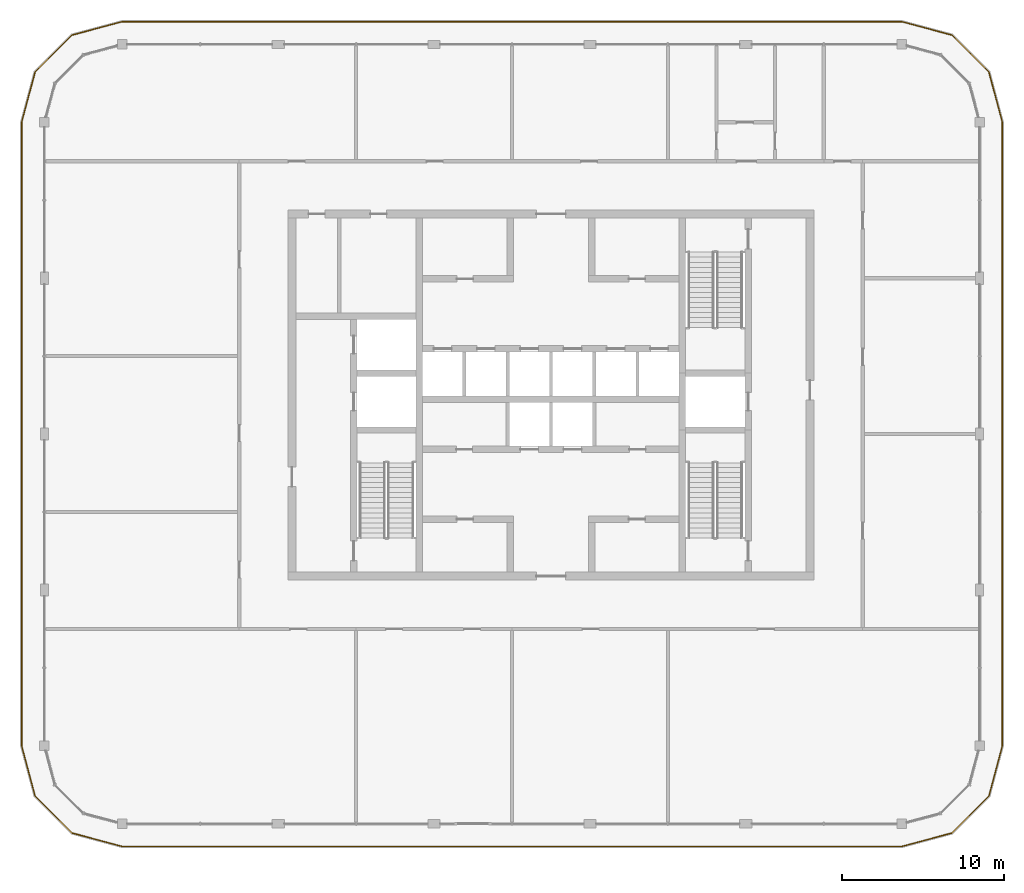
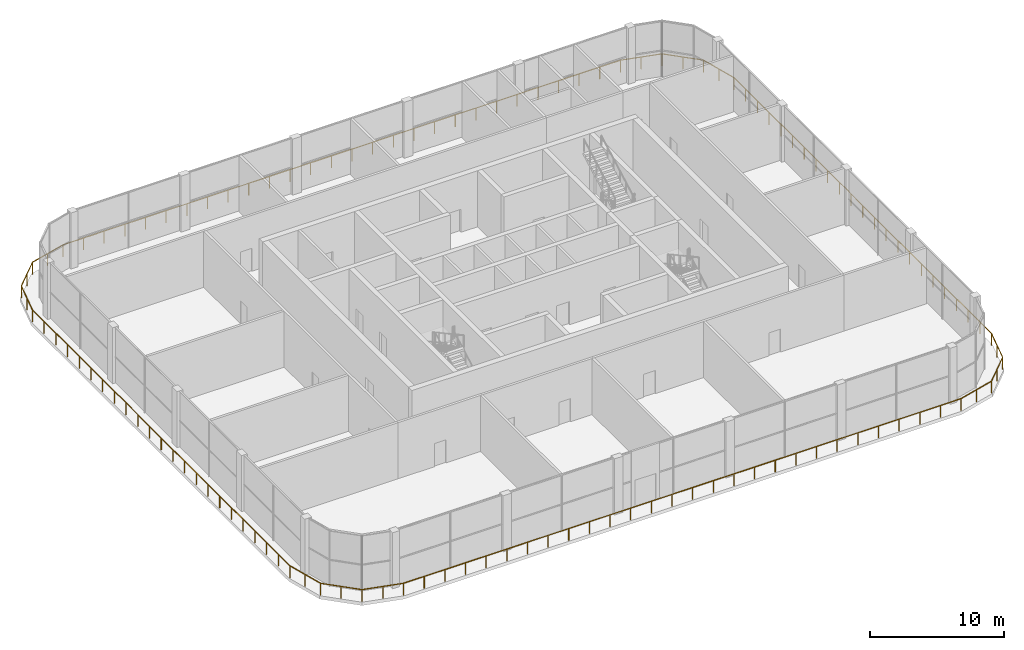
# One storey, part 14 of 15: 2 railings.
"""IFC4 building model written with IfcOpenShell, lengths in metres."""

from ifc_helpers import new_model, si_unit, direction, frame, origin, origin_2d, place, context, subcontext, project, spatial, circle, extrude, material, type_object, element, save


model = new_model("IFC4")

# Units and contexts
model_context = context("Model", 3, precision=1e-05, world=origin(), true_north=direction((0.0, 1.0)))
body_context = subcontext(model_context, "Body", "Model", "MODEL_VIEW")
ifc_project = project(units=[si_unit("LENGTHUNIT", "METRE"), si_unit("AREAUNIT", "SQUARE_METRE"), si_unit("VOLUMEUNIT", "CUBIC_METRE"), si_unit("PLANEANGLEUNIT", "RADIAN"), si_unit("MASSUNIT", "GRAM", prefix="KILO")], contexts=[model_context])

# Site, building, storey
site_placement = place(None, origin())
site = spatial("IfcSite", under=ifc_project, at=site_placement, CompositionType="ELEMENT")
building_placement = place(site_placement, origin())
building = spatial("IfcBuilding", under=site, at=building_placement, Name="Madar Terraces", CompositionType="ELEMENT")
storey_placement = place(building_placement, frame((0.0, 0.0, 286.10009765625)))
storey = spatial("IfcBuildingStorey", under=building, at=storey_placement, Name="L75", CompositionType="ELEMENT", Elevation=286.10009765625)

# Railings
ifc_material = material(Name="Glass, safety glazing, with stainless steel posts", Category="steel")
railing_type = type_object("IfcRailingType", Name="Balcony glass guard 1100", PredefinedType="GUARDRAIL", material=ifc_material)
railing_1_placement = place(storey_placement, frame((52.800048828125, -1.39990234375, 0.0)))
element("IfcRailing", 1, at=railing_1_placement, inside=storey, type_object=railing_type, Name="Balcony guard", PredefinedType="GUARDRAIL", context=body_context, shape_type="SweptSolid", body=[
    extrude(circle(Radius=0.02392578125, at=origin_2d()), frame((0.0, 0.0, 1.076171875), z_axis=(0.965928696102, 0.258808334578, 0.0), x_axis=(-0.258808334578, 0.965928696102, 0.0)), (0.0, 0.0, 1.0), 3.209228515625),
    extrude(circle(Radius=0.02392578125, at=origin_2d()), frame((3.099853515625, 0.83056640625, 1.076171875), z_axis=(0.707144815061, 0.707068745266, 0.0), x_axis=(-0.707068745266, 0.707144815061, 0.0)), (0.0, 0.0, 1.0), 3.20947265625),
    extrude(circle(Radius=0.02392578125, at=origin_2d()), frame((5.369384765625, 3.099853515625, 1.076171875), z_axis=(0.258789317819, 0.9659337912, 0.0), x_axis=(-0.9659337912, 0.258789317819, 0.0)), (0.0, 0.0, 1.0), 3.20947265625),
    extrude(circle(Radius=0.02392578125, at=origin_2d()), frame((6.199951171875, 6.199951171875, 1.076171875), z_axis=(0.0, 1.0, 0.0), x_axis=(-1.0, 0.0, 0.0)), (0.0, 0.0, 1.0), 38.39990234375),
    extrude(circle(Radius=0.02392578125, at=origin_2d()), frame((6.199951171875, 44.599853515625, 1.076171875), z_axis=(-0.258789317819, 0.9659337912, 0.0), x_axis=(-0.9659337912, -0.258789317819, 0.0)), (0.0, 0.0, 1.0), 3.20947265625),
    extrude(circle(Radius=0.02392578125, at=origin_2d()), frame((5.369384765625, 47.699951171875, 1.076171875), z_axis=(-0.707144815061, 0.707068745266, 0.0), x_axis=(-0.707068745266, -0.707144815061, 0.0)), (0.0, 0.0, 1.0), 3.20947265625),
    extrude(circle(Radius=0.02392578125, at=origin_2d()), frame((3.099853515625, 49.96923828125, 1.076171875), z_axis=(-0.965928696102, 0.258808334578, 0.0), x_axis=(-0.258808334578, -0.965928696102, 0.0)), (0.0, 0.0, 1.0), 3.209228515625),
    extrude(circle(Radius=0.02392578125, at=origin_2d()), frame((0.0, 50.7998046875, 1.076171875), z_axis=(-1.0, 0.0, 0.0), x_axis=(0.0, -1.0, 0.0)), (0.0, 0.0, 1.0), 48.0),
    extrude(circle(Radius=0.02099609375, at=origin_2d()), origin(), (0.0, 0.0, 1.0), 1.052001953125),
    extrude(circle(Radius=0.02099609375, at=origin_2d()), frame((1.5498046875, 0.415283203125, 0.0)), (0.0, 0.0, 1.0), 1.052001953125),
    extrude(circle(Radius=0.02099609375, at=origin_2d()), frame((3.099853515625, 0.83056640625, 0.0)), (0.0, 0.0, 1.0), 1.052001953125),
    extrude(circle(Radius=0.02099609375, at=origin_2d()), frame((4.234619140625, 1.96533203125, 0.0)), (0.0, 0.0, 1.0), 1.052001953125),
    extrude(circle(Radius=0.02099609375, at=origin_2d()), frame((5.369384765625, 3.099853515625, 0.0)), (0.0, 0.0, 1.0), 1.052001953125),
    extrude(circle(Radius=0.02099609375, at=origin_2d()), frame((5.78466796875, 4.64990234375, 0.0)), (0.0, 0.0, 1.0), 1.052001953125),
    extrude(circle(Radius=0.02099609375, at=origin_2d()), frame((6.199951171875, 6.199951171875, 0.0)), (0.0, 0.0, 1.0), 1.052001953125),
    extrude(circle(Radius=0.02099609375, at=origin_2d()), frame((6.199951171875, 7.9453125, 0.0)), (0.0, 0.0, 1.0), 1.052001953125),
    extrude(circle(Radius=0.02099609375, at=origin_2d()), frame((6.199951171875, 9.69091796875, 0.0)), (0.0, 0.0, 1.0), 1.052001953125),
    extrude(circle(Radius=0.02099609375, at=origin_2d()), frame((6.199951171875, 11.436279296875, 0.0)), (0.0, 0.0, 1.0), 1.052001953125),
    extrude(circle(Radius=0.02099609375, at=origin_2d()), frame((6.199951171875, 13.181640625, 0.0)), (0.0, 0.0, 1.0), 1.052001953125),
    extrude(circle(Radius=0.02099609375, at=origin_2d()), frame((6.199951171875, 14.92724609375, 0.0)), (0.0, 0.0, 1.0), 1.052001953125),
    extrude(circle(Radius=0.02099609375, at=origin_2d()), frame((6.199951171875, 16.672607421875, 0.0)), (0.0, 0.0, 1.0), 1.052001953125),
    extrude(circle(Radius=0.02099609375, at=origin_2d()), frame((6.199951171875, 18.418212890625, 0.0)), (0.0, 0.0, 1.0), 1.052001953125),
    extrude(circle(Radius=0.02099609375, at=origin_2d()), frame((6.199951171875, 20.16357421875, 0.0)), (0.0, 0.0, 1.0), 1.052001953125),
    extrude(circle(Radius=0.02099609375, at=origin_2d()), frame((6.199951171875, 21.908935546875, 0.0)), (0.0, 0.0, 1.0), 1.052001953125),
    extrude(circle(Radius=0.02099609375, at=origin_2d()), frame((6.199951171875, 23.654541015625, 0.0)), (0.0, 0.0, 1.0), 1.052001953125),
    extrude(circle(Radius=0.02099609375, at=origin_2d()), frame((6.199951171875, 25.39990234375, 0.0)), (0.0, 0.0, 1.0), 1.052001953125),
    extrude(circle(Radius=0.02099609375, at=origin_2d()), frame((6.199951171875, 27.145263671875, 0.0)), (0.0, 0.0, 1.0), 1.052001953125),
    extrude(circle(Radius=0.02099609375, at=origin_2d()), frame((6.199951171875, 28.890869140625, 0.0)), (0.0, 0.0, 1.0), 1.052001953125),
    extrude(circle(Radius=0.02099609375, at=origin_2d()), frame((6.199951171875, 30.63623046875, 0.0)), (0.0, 0.0, 1.0), 1.052001953125),
    extrude(circle(Radius=0.02099609375, at=origin_2d()), frame((6.199951171875, 32.381591796875, 0.0)), (0.0, 0.0, 1.0), 1.052001953125),
    extrude(circle(Radius=0.02099609375, at=origin_2d()), frame((6.199951171875, 34.127197265625, 0.0)), (0.0, 0.0, 1.0), 1.052001953125),
    extrude(circle(Radius=0.02099609375, at=origin_2d()), frame((6.199951171875, 35.87255859375, 0.0)), (0.0, 0.0, 1.0), 1.052001953125),
    extrude(circle(Radius=0.02099609375, at=origin_2d()), frame((6.199951171875, 37.6181640625, 0.0)), (0.0, 0.0, 1.0), 1.052001953125),
    extrude(circle(Radius=0.02099609375, at=origin_2d()), frame((6.199951171875, 39.363525390625, 0.0)), (0.0, 0.0, 1.0), 1.052001953125),
    extrude(circle(Radius=0.02099609375, at=origin_2d()), frame((6.199951171875, 41.10888671875, 0.0)), (0.0, 0.0, 1.0), 1.052001953125),
    extrude(circle(Radius=0.02099609375, at=origin_2d()), frame((6.199951171875, 42.8544921875, 0.0)), (0.0, 0.0, 1.0), 1.052001953125),
    extrude(circle(Radius=0.02099609375, at=origin_2d()), frame((6.199951171875, 44.599853515625, 0.0)), (0.0, 0.0, 1.0), 1.052001953125),
    extrude(circle(Radius=0.02099609375, at=origin_2d()), frame((5.78466796875, 46.14990234375, 0.0)), (0.0, 0.0, 1.0), 1.052001953125),
    extrude(circle(Radius=0.02099609375, at=origin_2d()), frame((5.369384765625, 47.699951171875, 0.0)), (0.0, 0.0, 1.0), 1.052001953125),
    extrude(circle(Radius=0.02099609375, at=origin_2d()), frame((4.234619140625, 48.83447265625, 0.0)), (0.0, 0.0, 1.0), 1.052001953125),
    extrude(circle(Radius=0.02099609375, at=origin_2d()), frame((3.099853515625, 49.96923828125, 0.0)), (0.0, 0.0, 1.0), 1.052001953125),
    extrude(circle(Radius=0.02099609375, at=origin_2d()), frame((1.5498046875, 50.384521484375, 0.0)), (0.0, 0.0, 1.0), 1.052001953125),
    extrude(circle(Radius=0.02099609375, at=origin_2d()), frame((0.0, 50.7998046875, 0.0)), (0.0, 0.0, 1.0), 1.052001953125),
    extrude(circle(Radius=0.02099609375, at=origin_2d()), frame((-1.77783203125, 50.7998046875, 0.0)), (0.0, 0.0, 1.0), 1.052001953125),
    extrude(circle(Radius=0.02099609375, at=origin_2d()), frame((-3.5556640625, 50.7998046875, 0.0)), (0.0, 0.0, 1.0), 1.052001953125),
    extrude(circle(Radius=0.02099609375, at=origin_2d()), frame((-5.333251953125, 50.7998046875, 0.0)), (0.0, 0.0, 1.0), 1.052001953125),
    extrude(circle(Radius=0.02099609375, at=origin_2d()), frame((-7.111083984375, 50.7998046875, 0.0)), (0.0, 0.0, 1.0), 1.052001953125),
    extrude(circle(Radius=0.02099609375, at=origin_2d()), frame((-8.888916015625, 50.7998046875, 0.0)), (0.0, 0.0, 1.0), 1.052001953125),
    extrude(circle(Radius=0.02099609375, at=origin_2d()), frame((-10.666748046875, 50.7998046875, 0.0)), (0.0, 0.0, 1.0), 1.052001953125),
    extrude(circle(Radius=0.02099609375, at=origin_2d()), frame((-12.4443359375, 50.7998046875, 0.0)), (0.0, 0.0, 1.0), 1.052001953125),
    extrude(circle(Radius=0.02099609375, at=origin_2d()), frame((-14.22216796875, 50.7998046875, 0.0)), (0.0, 0.0, 1.0), 1.052001953125),
    extrude(circle(Radius=0.02099609375, at=origin_2d()), frame((-16.0, 50.7998046875, 0.0)), (0.0, 0.0, 1.0), 1.052001953125),
    extrude(circle(Radius=0.02099609375, at=origin_2d()), frame((-17.77783203125, 50.7998046875, 0.0)), (0.0, 0.0, 1.0), 1.052001953125),
    extrude(circle(Radius=0.02099609375, at=origin_2d()), frame((-19.5556640625, 50.7998046875, 0.0)), (0.0, 0.0, 1.0), 1.052001953125),
    extrude(circle(Radius=0.02099609375, at=origin_2d()), frame((-21.333251953125, 50.7998046875, 0.0)), (0.0, 0.0, 1.0), 1.052001953125),
    extrude(circle(Radius=0.02099609375, at=origin_2d()), frame((-23.111083984375, 50.7998046875, 0.0)), (0.0, 0.0, 1.0), 1.052001953125),
    extrude(circle(Radius=0.02099609375, at=origin_2d()), frame((-24.888916015625, 50.7998046875, 0.0)), (0.0, 0.0, 1.0), 1.052001953125),
    extrude(circle(Radius=0.02099609375, at=origin_2d()), frame((-26.666748046875, 50.7998046875, 0.0)), (0.0, 0.0, 1.0), 1.052001953125),
    extrude(circle(Radius=0.02099609375, at=origin_2d()), frame((-28.4443359375, 50.7998046875, 0.0)), (0.0, 0.0, 1.0), 1.052001953125),
    extrude(circle(Radius=0.02099609375, at=origin_2d()), frame((-30.22216796875, 50.7998046875, 0.0)), (0.0, 0.0, 1.0), 1.052001953125),
    extrude(circle(Radius=0.02099609375, at=origin_2d()), frame((-32.0, 50.7998046875, 0.0)), (0.0, 0.0, 1.0), 1.052001953125),
    extrude(circle(Radius=0.02099609375, at=origin_2d()), frame((-33.77783203125, 50.7998046875, 0.0)), (0.0, 0.0, 1.0), 1.052001953125),
    extrude(circle(Radius=0.02099609375, at=origin_2d()), frame((-35.5556640625, 50.7998046875, 0.0)), (0.0, 0.0, 1.0), 1.052001953125),
    extrude(circle(Radius=0.02099609375, at=origin_2d()), frame((-37.333251953125, 50.7998046875, 0.0)), (0.0, 0.0, 1.0), 1.052001953125),
    extrude(circle(Radius=0.02099609375, at=origin_2d()), frame((-39.111083984375, 50.7998046875, 0.0)), (0.0, 0.0, 1.0), 1.052001953125),
    extrude(circle(Radius=0.02099609375, at=origin_2d()), frame((-40.888916015625, 50.7998046875, 0.0)), (0.0, 0.0, 1.0), 1.052001953125),
    extrude(circle(Radius=0.02099609375, at=origin_2d()), frame((-42.666748046875, 50.7998046875, 0.0)), (0.0, 0.0, 1.0), 1.052001953125),
    extrude(circle(Radius=0.02099609375, at=origin_2d()), frame((-44.4443359375, 50.7998046875, 0.0)), (0.0, 0.0, 1.0), 1.052001953125),
    extrude(circle(Radius=0.02099609375, at=origin_2d()), frame((-46.22216796875, 50.7998046875, 0.0)), (0.0, 0.0, 1.0), 1.052001953125),
    extrude(circle(Radius=0.02099609375, at=origin_2d()), frame((-48.0, 50.7998046875, 0.0)), (0.0, 0.0, 1.0), 1.052001953125),
])
railing_2_placement = place(storey_placement, frame((4.800048828125, 49.39990234375, 0.0)))
element("IfcRailing", 2, at=railing_2_placement, inside=storey, type_object=railing_type, Name="Balcony guard", PredefinedType="GUARDRAIL", context=body_context, shape_type="SweptSolid", body=[
    extrude(circle(Radius=0.02392578125, at=origin_2d()), frame((0.0, 0.0, 1.076171875), z_axis=(-0.9659337912, -0.258789317819, 0.0), x_axis=(0.258789317819, -0.9659337912, 0.0)), (0.0, 0.0, 1.0), 3.20947265625),
    extrude(circle(Radius=0.02392578125, at=origin_2d()), frame((-3.10009765625, -0.83056640625, 1.076171875), z_axis=(-0.707106781187, -0.707106781187, 0.0), x_axis=(0.707106781187, -0.707106781187, 0.0)), (0.0, 0.0, 1.0), 3.209228515625),
    extrude(circle(Radius=0.02392578125, at=origin_2d()), frame((-5.369384765625, -3.099853515625, 1.076171875), z_axis=(-0.258789317819, -0.9659337912, 0.0), x_axis=(0.9659337912, -0.258789317819, 0.0)), (0.0, 0.0, 1.0), 3.20947265625),
    extrude(circle(Radius=0.02392578125, at=origin_2d()), frame((-6.199951171875, -6.199951171875, 1.076171875), z_axis=(0.0, -1.0, 0.0), x_axis=(1.0, 0.0, 0.0)), (0.0, 0.0, 1.0), 38.39990234375),
    extrude(circle(Radius=0.02392578125, at=origin_2d()), frame((-6.199951171875, -44.599853515625, 1.076171875), z_axis=(0.258789317819, -0.9659337912, 0.0), x_axis=(0.9659337912, 0.258789317819, 0.0)), (0.0, 0.0, 1.0), 3.20947265625),
    extrude(circle(Radius=0.02392578125, at=origin_2d()), frame((-5.369384765625, -47.699951171875, 1.076171875), z_axis=(0.707106781187, -0.707106781187, 0.0), x_axis=(0.707106781187, 0.707106781187, 0.0)), (0.0, 0.0, 1.0), 3.209228515625),
    extrude(circle(Radius=0.02392578125, at=origin_2d()), frame((-3.10009765625, -49.96923828125, 1.076171875), z_axis=(0.9659337912, -0.258789317819, 0.0), x_axis=(0.258789317819, 0.9659337912, 0.0)), (0.0, 0.0, 1.0), 3.20947265625),
    extrude(circle(Radius=0.02392578125, at=origin_2d()), frame((0.0, -50.7998046875, 1.076171875), z_axis=(1.0, 0.0, 0.0), x_axis=(0.0, 1.0, 0.0)), (0.0, 0.0, 1.0), 48.0),
    extrude(circle(Radius=0.02099609375, at=origin_2d()), origin(), (0.0, 0.0, 1.0), 1.052001953125),
    extrude(circle(Radius=0.02099609375, at=origin_2d()), frame((-1.550048828125, -0.415283203125, 0.0)), (0.0, 0.0, 1.0), 1.052001953125),
    extrude(circle(Radius=0.02099609375, at=origin_2d()), frame((-3.10009765625, -0.83056640625, 0.0)), (0.0, 0.0, 1.0), 1.052001953125),
    extrude(circle(Radius=0.02099609375, at=origin_2d()), frame((-4.23486328125, -1.96533203125, 0.0)), (0.0, 0.0, 1.0), 1.052001953125),
    extrude(circle(Radius=0.02099609375, at=origin_2d()), frame((-5.369384765625, -3.099853515625, 0.0)), (0.0, 0.0, 1.0), 1.052001953125),
    extrude(circle(Radius=0.02099609375, at=origin_2d()), frame((-5.78466796875, -4.64990234375, 0.0)), (0.0, 0.0, 1.0), 1.052001953125),
    extrude(circle(Radius=0.02099609375, at=origin_2d()), frame((-6.199951171875, -6.199951171875, 0.0)), (0.0, 0.0, 1.0), 1.052001953125),
    extrude(circle(Radius=0.02099609375, at=origin_2d()), frame((-6.199951171875, -7.9453125, 0.0)), (0.0, 0.0, 1.0), 1.052001953125),
    extrude(circle(Radius=0.02099609375, at=origin_2d()), frame((-6.199951171875, -9.69091796875, 0.0)), (0.0, 0.0, 1.0), 1.052001953125),
    extrude(circle(Radius=0.02099609375, at=origin_2d()), frame((-6.199951171875, -11.436279296875, 0.0)), (0.0, 0.0, 1.0), 1.052001953125),
    extrude(circle(Radius=0.02099609375, at=origin_2d()), frame((-6.199951171875, -13.181640625, 0.0)), (0.0, 0.0, 1.0), 1.052001953125),
    extrude(circle(Radius=0.02099609375, at=origin_2d()), frame((-6.199951171875, -14.92724609375, 0.0)), (0.0, 0.0, 1.0), 1.052001953125),
    extrude(circle(Radius=0.02099609375, at=origin_2d()), frame((-6.199951171875, -16.672607421875, 0.0)), (0.0, 0.0, 1.0), 1.052001953125),
    extrude(circle(Radius=0.02099609375, at=origin_2d()), frame((-6.199951171875, -18.418212890625, 0.0)), (0.0, 0.0, 1.0), 1.052001953125),
    extrude(circle(Radius=0.02099609375, at=origin_2d()), frame((-6.199951171875, -20.16357421875, 0.0)), (0.0, 0.0, 1.0), 1.052001953125),
    extrude(circle(Radius=0.02099609375, at=origin_2d()), frame((-6.199951171875, -21.908935546875, 0.0)), (0.0, 0.0, 1.0), 1.052001953125),
    extrude(circle(Radius=0.02099609375, at=origin_2d()), frame((-6.199951171875, -23.654541015625, 0.0)), (0.0, 0.0, 1.0), 1.052001953125),
    extrude(circle(Radius=0.02099609375, at=origin_2d()), frame((-6.199951171875, -25.39990234375, 0.0)), (0.0, 0.0, 1.0), 1.052001953125),
    extrude(circle(Radius=0.02099609375, at=origin_2d()), frame((-6.199951171875, -27.145263671875, 0.0)), (0.0, 0.0, 1.0), 1.052001953125),
    extrude(circle(Radius=0.02099609375, at=origin_2d()), frame((-6.199951171875, -28.890869140625, 0.0)), (0.0, 0.0, 1.0), 1.052001953125),
    extrude(circle(Radius=0.02099609375, at=origin_2d()), frame((-6.199951171875, -30.63623046875, 0.0)), (0.0, 0.0, 1.0), 1.052001953125),
    extrude(circle(Radius=0.02099609375, at=origin_2d()), frame((-6.199951171875, -32.381591796875, 0.0)), (0.0, 0.0, 1.0), 1.052001953125),
    extrude(circle(Radius=0.02099609375, at=origin_2d()), frame((-6.199951171875, -34.127197265625, 0.0)), (0.0, 0.0, 1.0), 1.052001953125),
    extrude(circle(Radius=0.02099609375, at=origin_2d()), frame((-6.199951171875, -35.87255859375, 0.0)), (0.0, 0.0, 1.0), 1.052001953125),
    extrude(circle(Radius=0.02099609375, at=origin_2d()), frame((-6.199951171875, -37.6181640625, 0.0)), (0.0, 0.0, 1.0), 1.052001953125),
    extrude(circle(Radius=0.02099609375, at=origin_2d()), frame((-6.199951171875, -39.363525390625, 0.0)), (0.0, 0.0, 1.0), 1.052001953125),
    extrude(circle(Radius=0.02099609375, at=origin_2d()), frame((-6.199951171875, -41.10888671875, 0.0)), (0.0, 0.0, 1.0), 1.052001953125),
    extrude(circle(Radius=0.02099609375, at=origin_2d()), frame((-6.199951171875, -42.8544921875, 0.0)), (0.0, 0.0, 1.0), 1.052001953125),
    extrude(circle(Radius=0.02099609375, at=origin_2d()), frame((-6.199951171875, -44.599853515625, 0.0)), (0.0, 0.0, 1.0), 1.052001953125),
    extrude(circle(Radius=0.02099609375, at=origin_2d()), frame((-5.78466796875, -46.14990234375, 0.0)), (0.0, 0.0, 1.0), 1.052001953125),
    extrude(circle(Radius=0.02099609375, at=origin_2d()), frame((-5.369384765625, -47.699951171875, 0.0)), (0.0, 0.0, 1.0), 1.052001953125),
    extrude(circle(Radius=0.02099609375, at=origin_2d()), frame((-4.23486328125, -48.83447265625, 0.0)), (0.0, 0.0, 1.0), 1.052001953125),
    extrude(circle(Radius=0.02099609375, at=origin_2d()), frame((-3.10009765625, -49.96923828125, 0.0)), (0.0, 0.0, 1.0), 1.052001953125),
    extrude(circle(Radius=0.02099609375, at=origin_2d()), frame((-1.550048828125, -50.384521484375, 0.0)), (0.0, 0.0, 1.0), 1.052001953125),
    extrude(circle(Radius=0.02099609375, at=origin_2d()), frame((0.0, -50.7998046875, 0.0)), (0.0, 0.0, 1.0), 1.052001953125),
    extrude(circle(Radius=0.02099609375, at=origin_2d()), frame((1.77783203125, -50.7998046875, 0.0)), (0.0, 0.0, 1.0), 1.052001953125),
    extrude(circle(Radius=0.02099609375, at=origin_2d()), frame((3.5556640625, -50.7998046875, 0.0)), (0.0, 0.0, 1.0), 1.052001953125),
    extrude(circle(Radius=0.02099609375, at=origin_2d()), frame((5.333251953125, -50.7998046875, 0.0)), (0.0, 0.0, 1.0), 1.052001953125),
    extrude(circle(Radius=0.02099609375, at=origin_2d()), frame((7.111083984375, -50.7998046875, 0.0)), (0.0, 0.0, 1.0), 1.052001953125),
    extrude(circle(Radius=0.02099609375, at=origin_2d()), frame((8.888916015625, -50.7998046875, 0.0)), (0.0, 0.0, 1.0), 1.052001953125),
    extrude(circle(Radius=0.02099609375, at=origin_2d()), frame((10.666748046875, -50.7998046875, 0.0)), (0.0, 0.0, 1.0), 1.052001953125),
    extrude(circle(Radius=0.02099609375, at=origin_2d()), frame((12.4443359375, -50.7998046875, 0.0)), (0.0, 0.0, 1.0), 1.052001953125),
    extrude(circle(Radius=0.02099609375, at=origin_2d()), frame((14.22216796875, -50.7998046875, 0.0)), (0.0, 0.0, 1.0), 1.052001953125),
    extrude(circle(Radius=0.02099609375, at=origin_2d()), frame((16.0, -50.7998046875, 0.0)), (0.0, 0.0, 1.0), 1.052001953125),
    extrude(circle(Radius=0.02099609375, at=origin_2d()), frame((17.77783203125, -50.7998046875, 0.0)), (0.0, 0.0, 1.0), 1.052001953125),
    extrude(circle(Radius=0.02099609375, at=origin_2d()), frame((19.5556640625, -50.7998046875, 0.0)), (0.0, 0.0, 1.0), 1.052001953125),
    extrude(circle(Radius=0.02099609375, at=origin_2d()), frame((21.333251953125, -50.7998046875, 0.0)), (0.0, 0.0, 1.0), 1.052001953125),
    extrude(circle(Radius=0.02099609375, at=origin_2d()), frame((23.111083984375, -50.7998046875, 0.0)), (0.0, 0.0, 1.0), 1.052001953125),
    extrude(circle(Radius=0.02099609375, at=origin_2d()), frame((24.888916015625, -50.7998046875, 0.0)), (0.0, 0.0, 1.0), 1.052001953125),
    extrude(circle(Radius=0.02099609375, at=origin_2d()), frame((26.666748046875, -50.7998046875, 0.0)), (0.0, 0.0, 1.0), 1.052001953125),
    extrude(circle(Radius=0.02099609375, at=origin_2d()), frame((28.4443359375, -50.7998046875, 0.0)), (0.0, 0.0, 1.0), 1.052001953125),
    extrude(circle(Radius=0.02099609375, at=origin_2d()), frame((30.22216796875, -50.7998046875, 0.0)), (0.0, 0.0, 1.0), 1.052001953125),
    extrude(circle(Radius=0.02099609375, at=origin_2d()), frame((32.0, -50.7998046875, 0.0)), (0.0, 0.0, 1.0), 1.052001953125),
    extrude(circle(Radius=0.02099609375, at=origin_2d()), frame((33.77783203125, -50.7998046875, 0.0)), (0.0, 0.0, 1.0), 1.052001953125),
    extrude(circle(Radius=0.02099609375, at=origin_2d()), frame((35.5556640625, -50.7998046875, 0.0)), (0.0, 0.0, 1.0), 1.052001953125),
    extrude(circle(Radius=0.02099609375, at=origin_2d()), frame((37.333251953125, -50.7998046875, 0.0)), (0.0, 0.0, 1.0), 1.052001953125),
    extrude(circle(Radius=0.02099609375, at=origin_2d()), frame((39.111083984375, -50.7998046875, 0.0)), (0.0, 0.0, 1.0), 1.052001953125),
    extrude(circle(Radius=0.02099609375, at=origin_2d()), frame((40.888916015625, -50.7998046875, 0.0)), (0.0, 0.0, 1.0), 1.052001953125),
    extrude(circle(Radius=0.02099609375, at=origin_2d()), frame((42.666748046875, -50.7998046875, 0.0)), (0.0, 0.0, 1.0), 1.052001953125),
    extrude(circle(Radius=0.02099609375, at=origin_2d()), frame((44.4443359375, -50.7998046875, 0.0)), (0.0, 0.0, 1.0), 1.052001953125),
    extrude(circle(Radius=0.02099609375, at=origin_2d()), frame((46.22216796875, -50.7998046875, 0.0)), (0.0, 0.0, 1.0), 1.052001953125),
    extrude(circle(Radius=0.02099609375, at=origin_2d()), frame((48.0, -50.7998046875, 0.0)), (0.0, 0.0, 1.0), 1.052001953125),
])

save(model, "model.ifc")
